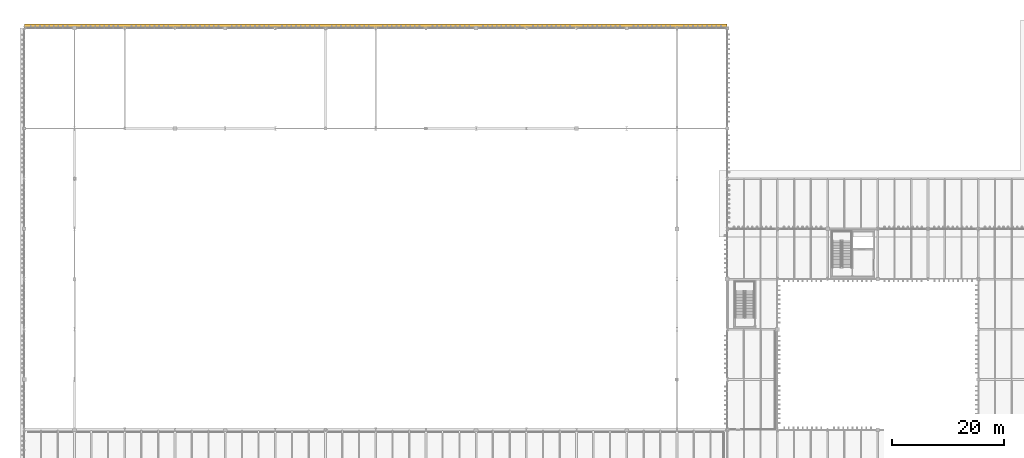
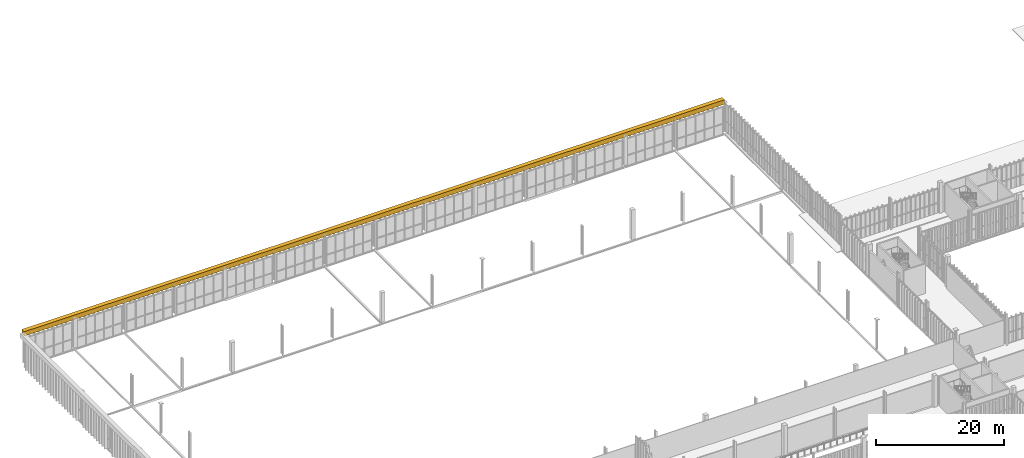
# One storey, part 236 of 237: 1 covering.
"""IFC4 building model written with IfcOpenShell, lengths in metres."""

from ifc_helpers import new_model, si_unit, direction, frame, origin, origin_2d, place, context, subcontext, project, spatial, rectangle, extrude, material, layer, layer_set, type_object, element, save


model = new_model("IFC4")

# Units and contexts
model_context = context("Model", 3, precision=1e-05, world=origin(), true_north=direction((0.0, 1.0)))
body_context = subcontext(model_context, "Body", "Model", "MODEL_VIEW")
ifc_project = project(units=[si_unit("LENGTHUNIT", "METRE"), si_unit("AREAUNIT", "SQUARE_METRE"), si_unit("VOLUMEUNIT", "CUBIC_METRE"), si_unit("PLANEANGLEUNIT", "RADIAN"), si_unit("MASSUNIT", "GRAM", prefix="KILO")], contexts=[model_context])

# Site, building, storey
site_placement = place(None, origin())
site = spatial("IfcSite", under=ifc_project, at=site_placement, CompositionType="ELEMENT")
building_placement = place(site_placement, origin())
building = spatial("IfcBuilding", under=site, at=building_placement, Name="Barlavento Convention Centre", CompositionType="ELEMENT")
storey_placement = place(building_placement, frame((0.0, 0.0, 12.0)))
storey = spatial("IfcBuildingStorey", under=building, at=storey_placement, Name="L02", CompositionType="ELEMENT", Elevation=12.0)

# Covering
ifc_material = material(Name="Macau dark grey granite cladding", Category="masonry")
ifc_layer = layer(ifc_material, 0.050048828125)
ifc_layer_set = layer_set([ifc_layer], Name="ARC-COV-CLAD-GRANITE")
covering_type = type_object("IfcCoveringType", Name="ARC-COV-CLAD-GRANITE", PredefinedType="CLADDING", material=ifc_layer_set)
covering_placement = place(storey_placement, frame((63.0, 135.39990234375, 5.125), z_axis=(0.0, 0.0, 1.0), x_axis=(1.0, 0.0, 0.0)))
element("IfcCovering", 1, at=covering_placement, inside=storey, type_object=covering_type, Name="Postmodern stepped stone cornice band CLD01", PredefinedType="CLADDING", context=body_context, shape_type="SweptSolid", body=[
    extrude(rectangle(XDim=126.0, YDim=0.75, at=origin_2d()), origin(), (0.0, 0.0, 1.0), 0.85009765625),
])

save(model, "model.ifc")
